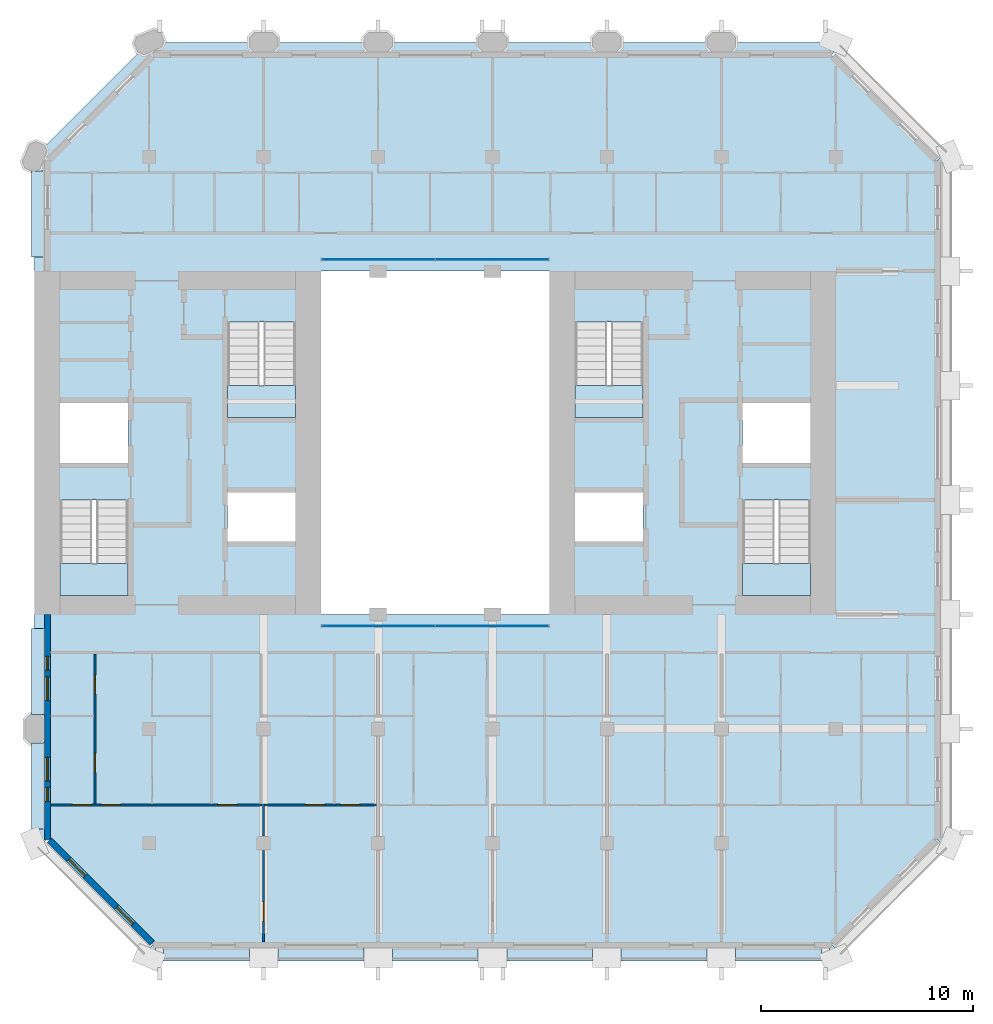
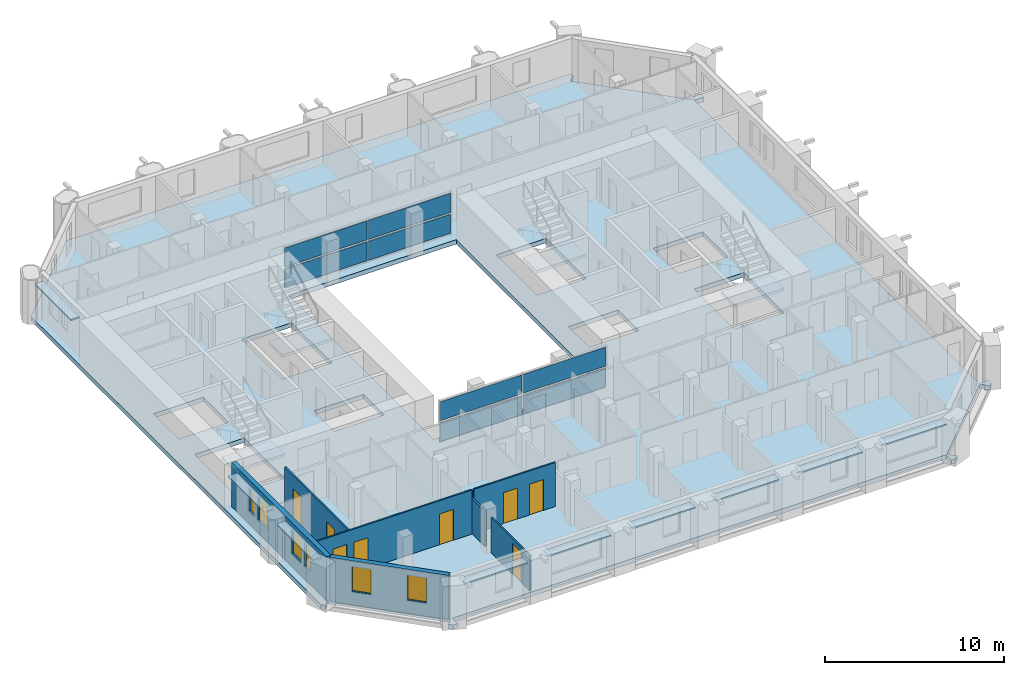
# One storey, part 5 of 14: 17 plates, 8 doors, 7 walls, 6 windows, 5 slabs, 14 openings, 6 elements without a shape of their own.
"""IFC4 building model written with IfcOpenShell, lengths in metres."""

import ifcopenshell
import ifcopenshell.guid

model = None  # the IFC model being written
_history = None  # IfcOwnerHistory: only IFC2X3 demands one
_inside = {}  # id of a spatial element -> (the spatial element, [elements in it])
_under = {}  # id of a project, library or spatial element -> (it, [spatial elements below it])
_declared = {}  # id of a project -> (the project, [libraries it declares])
_typed = {}  # id of a type object -> (the type object, [elements of that type])
_made_of = {}  # id of a material, layer set ... -> (it, [elements and type objects made of it])


def new_model(schema):
    """Start an empty IFC model of exactly this schema.

    Asked for "IFC4X3", IfcOpenShell would pick the latest addendum, in which some entities
    have other attributes; the version numbers below select the first issue.
    IFC2X3 requires an IfcOwnerHistory on every rooted entity: one is made here for all.
    """
    global model, _history
    if schema == "IFC4X3":
        model = ifcopenshell.file(schema_version=(4, 3, 0, 0))
    else:
        model = ifcopenshell.file(schema=schema)
    _inside.clear()
    _under.clear()
    _declared.clear()
    _typed.clear()
    _made_of.clear()
    _history = None
    if model.schema == "IFC2X3":
        org = make("IfcOrganization", Name="unknown")
        user = make(
            "IfcPersonAndOrganization",
            ThePerson=make("IfcPerson", FamilyName="unknown"),
            TheOrganization=org,
        )
        app = make(
            "IfcApplication",
            ApplicationDeveloper=org,
            Version="unknown",
            ApplicationFullName="unknown",
            ApplicationIdentifier="unknown",
        )
        _history = make(
            "IfcOwnerHistory",
            OwningUser=user,
            OwningApplication=app,
            ChangeAction="ADDED",
            CreationDate=0,
        )
    return model


def make(cls, **values):
    """One entity of the class cls with the attributes given. An attribute that is None is left unset."""
    return model.create_entity(
        cls, **{name: value for name, value in values.items() if value is not None}
    )


def rooted(cls, **values):
    """An entity with a GlobalId (a new one), such as an element, a storey or a relation."""
    return make(cls, GlobalId=ifcopenshell.guid.new(), OwnerHistory=_history, **values)


def si_unit(unit_type, name, prefix=None):
    """IfcSIUnit, for example si_unit("LENGTHUNIT", "METRE", prefix="MILLI")."""
    return make("IfcSIUnit", UnitType=unit_type, Prefix=prefix, Name=name)


def assignment(units):
    """IfcUnitAssignment: the units of a project."""
    return None if units is None else make("IfcUnitAssignment", Units=units)


def point(xyz):
    """IfcCartesianPoint."""
    return None if xyz is None else make("IfcCartesianPoint", Coordinates=xyz)


def direction(xyz):
    """IfcDirection."""
    return None if xyz is None else make("IfcDirection", DirectionRatios=xyz)


def frame(location, z_axis=None, x_axis=None):
    """IfcAxis2Placement3D, a coordinate frame: its origin and axes. An axis left out is left unset."""
    return make(
        "IfcAxis2Placement3D",
        Location=point(location),
        Axis=direction(z_axis),
        RefDirection=direction(x_axis),
    )


def frame_2d(location, x_axis=None):
    """IfcAxis2Placement2D, a coordinate frame in the plane: its origin and x axis."""
    return make(
        "IfcAxis2Placement2D", Location=point(location), RefDirection=direction(x_axis)
    )


def origin():
    """The frame at (0, 0, 0) with its axes left unset."""
    return frame((0.0, 0.0, 0.0))


def origin_2d():
    """The frame at (0, 0) in the plane with its x axis left unset."""
    return frame_2d((0.0, 0.0))


def place(relative_to, where):
    """IfcLocalPlacement: puts the frame where relative to a parent placement (None: the world)."""
    return make(
        "IfcLocalPlacement", PlacementRelTo=relative_to, RelativePlacement=where
    )


def context(
    kind, dimensions, precision=None, world=None, true_north=None, identifier=None
):
    """IfcGeometricRepresentationContext, for example the 3D "Model" context."""
    return make(
        "IfcGeometricRepresentationContext",
        ContextIdentifier=identifier,
        ContextType=kind,
        CoordinateSpaceDimension=dimensions,
        Precision=precision,
        WorldCoordinateSystem=world,
        TrueNorth=true_north,
    )


def subcontext(parent, identifier, kind, view, scale=None):
    """IfcGeometricRepresentationSubContext, for example "Body" below "Model"."""
    return make(
        "IfcGeometricRepresentationSubContext",
        ContextIdentifier=identifier,
        ContextType=kind,
        ParentContext=parent,
        TargetScale=scale,
        TargetView=view,
    )


def project(units=None, contexts=None):
    """IfcProject with its units and contexts."""
    return rooted(
        "IfcProject",
        Name="project",
        RepresentationContexts=contexts,
        UnitsInContext=assignment(units),
    )


def spatial(cls, under=None, at=None, **own):
    """A site, building, storey or space (cls), placed at a placement, below another one or the project."""
    s = rooted(cls, ObjectPlacement=at, **own)
    if under is not None:
        _under.setdefault(under.id(), (under, []))[1].append(s)
    return s


def polyline(points):
    """IfcPolyline through the points."""
    return make("IfcPolyline", Points=[point(p) for p in points])


def profile(cls, at=None, kind="AREA", **sizes):
    """A parametric profile (cls). Its sizes go by their IFC names, for example OverallWidth=200.0."""
    return make(cls, ProfileType=kind, Position=at, **sizes)


def rectangle(**sizes):
    """IfcRectangleProfileDef."""
    return profile("IfcRectangleProfileDef", **sizes)


def outline(outer, holes=None, kind="AREA"):
    """IfcArbitraryClosedProfileDef: a profile drawn as a closed curve; with holes, ...WithVoids."""
    if holes is None:
        return make("IfcArbitraryClosedProfileDef", ProfileType=kind, OuterCurve=outer)
    return make(
        "IfcArbitraryProfileDefWithVoids",
        ProfileType=kind,
        OuterCurve=outer,
        InnerCurves=holes,
    )


def extrude(swept, where, along, depth):
    """IfcExtrudedAreaSolid: the profile swept, set in the frame where, extruded along a direction by depth."""
    return make(
        "IfcExtrudedAreaSolid",
        SweptArea=swept,
        Position=where,
        ExtrudedDirection=direction(along),
        Depth=depth,
    )


def shape(context_of_items, identifier, shape_type, items):
    """IfcShapeRepresentation: the items that make up one representation, for example the "Body"."""
    return make(
        "IfcShapeRepresentation",
        ContextOfItems=context_of_items,
        RepresentationIdentifier=identifier,
        RepresentationType=shape_type,
        Items=items,
    )


def material(Name=None, Category=None):
    """IfcMaterial."""
    return make("IfcMaterial", Name=Name, Category=Category)


def layer(
    of_material, thickness, ventilated=None, Name=None, Category=None, Priority=None
):
    """IfcMaterialLayer: one layer of a wall or slab, of a material (None: an air gap)."""
    return make(
        "IfcMaterialLayer",
        Material=of_material,
        LayerThickness=thickness,
        IsVentilated=ventilated,
        Name=Name,
        Category=Category,
        Priority=Priority,
    )


def layer_set(layers, Name=None):
    """IfcMaterialLayerSet."""
    return make("IfcMaterialLayerSet", MaterialLayers=layers, LayerSetName=Name)


def made_of(thing, what):
    """Note that an element or type object is made of a material, layer set ...; save() writes the relation."""
    if what is not None:
        _made_of.setdefault(what.id(), (what, []))[1].append(thing)
    return thing


def type_object(cls, material=None, **own):
    """A type object (cls), such as IfcWallType, which elements share."""
    return made_of(rooted(cls, **own), material)


def element(
    cls,
    number,
    at=None,
    inside=None,
    cuts=None,
    type_object=None,
    material=None,
    context=None,
    identifier="Body",
    shape_type=None,
    held_by="IfcProductDefinitionShape",
    body=None,
    shapes=None,
    **own,
):
    """One element of the class cls, such as IfcWall. Its Tag is "e" and its number.

    at: its placement. inside: the storey or other place that contains it. cuts: it is an
    opening in that element (IfcRelVoidsElement). A single representation is given by context,
    identifier, shape_type and body (its items); several are given by shapes. held_by: the class
    of the entity that holds the representations. save() writes the other relations.
    """
    e = rooted(cls, Tag="e%d" % number, ObjectPlacement=at, **own)
    if body is not None:
        shapes = [shape(context, identifier, shape_type, body)]
    if shapes is not None:
        e.Representation = make(held_by, Representations=shapes)
    if inside is not None:
        _inside.setdefault(inside.id(), (inside, []))[1].append(e)
    if cuts is not None:
        rooted(
            "IfcRelVoidsElement", RelatingBuildingElement=cuts, RelatedOpeningElement=e
        )
    if type_object is not None:
        _typed.setdefault(type_object.id(), (type_object, []))[1].append(e)
    return made_of(e, material)


def fill(opening, filler):
    """IfcRelFillsElement: the door or window that sits in an opening."""
    return rooted(
        "IfcRelFillsElement",
        RelatingOpeningElement=opening,
        RelatedBuildingElement=filler,
    )


def aggregate(whole, parts):
    """IfcRelAggregates: a whole, such as a stair, and the parts it consists of."""
    return rooted("IfcRelAggregates", RelatingObject=whole, RelatedObjects=parts)


def save(model, path):
    """Write the relations noted so far, then the file.

    IfcRelAggregates (storeys below a building ...), IfcRelContainedInSpatialStructure (elements
    in a storey), IfcRelDefinesByType, IfcRelAssociatesMaterial and IfcRelDeclares: one each for
    every whole, place, type object, material and project.
    """
    for whole, parts in _under.values():
        aggregate(whole, parts)
    for where, things in _inside.values():
        rooted(
            "IfcRelContainedInSpatialStructure",
            RelatedElements=things,
            RelatingStructure=where,
        )
    for kind, things in _typed.values():
        rooted("IfcRelDefinesByType", RelatedObjects=things, RelatingType=kind)
    for what, things in _made_of.values():
        rooted("IfcRelAssociatesMaterial", RelatedObjects=things, RelatingMaterial=what)
    for by, libraries in _declared.values():
        rooted("IfcRelDeclares", RelatingContext=by, RelatedDefinitions=libraries)
    model.write(path)


model = new_model("IFC4")

# Units and contexts
model_context = context("Model", 3, precision=1e-05, world=origin(), true_north=direction((0.0, 1.0)))
body_context = subcontext(model_context, "Body", "Model", "MODEL_VIEW")
ifc_project = project(units=[si_unit("LENGTHUNIT", "METRE"), si_unit("AREAUNIT", "SQUARE_METRE"), si_unit("VOLUMEUNIT", "CUBIC_METRE"), si_unit("PLANEANGLEUNIT", "RADIAN"), si_unit("MASSUNIT", "GRAM", prefix="KILO")], contexts=[model_context])

# Site, building, storey
site_placement = place(None, origin())
site = spatial("IfcSite", under=ifc_project, at=site_placement, CompositionType="ELEMENT")
building_placement = place(site_placement, origin())
building = spatial("IfcBuilding", under=site, at=building_placement, Name="Tabaq Tower and Sports Hall", CompositionType="ELEMENT")
storey_placement = place(building_placement, frame((0.0, 0.0, 275.199951171875)))
storey = spatial("IfcBuildingStorey", under=building, at=storey_placement, Name="L67", CompositionType="ELEMENT", Elevation=275.199951171875)

# Curtain wall, plates
ifc_material_1 = material(Name="Aluminium alloy 6063-T6 framed glazing", Category="aluminium")
curtain_wall_type = type_object("IfcCurtainWallType", Name="CW1 curtain wall", PredefinedType="USERDEFINED", material=ifc_material_1)
curtain_wall_1_placement = place(storey_placement, origin())
curtain_wall_1 = element("IfcCurtainWall", 1, at=curtain_wall_1_placement, inside=storey, type_object=curtain_wall_type, Name="Atrium glazing L67 S", ObjectType="ATRIUM ENCLOSURE", PredefinedType="USERDEFINED")
ifc_material_2 = material(Name="Clear low-emissivity glass 28 mm", Category="glass")
ifc_layer_1 = layer(ifc_material_2, 0.028076171875)
ifc_layer_set_1 = layer_set([ifc_layer_1], Name="CW1 glass panel 28")
plate_type_1 = type_object("IfcPlateType", Name="CW1 glass panel 28", PredefinedType="CURTAIN_PANEL", material=ifc_layer_set_1)
plate_1_placement = place(storey_placement, frame((21.614990234375, 15.64990234375, 0.14013671875), z_axis=(0.0, 0.0, 1.0), x_axis=(1.0, 0.0, 0.0)))
plate_1 = element("IfcPlate", 2, at=plate_1_placement, type_object=plate_type_1, Name="CW1 panel 1.1", PredefinedType="CURTAIN_PANEL", context=body_context, shape_type="SweptSolid", body=[
    extrude(rectangle(XDim=5.31005859375, YDim=0.028076171875, at=origin_2d()), origin(), (0.0, 0.0, 1.0), 1.2900390625),
])
plate_2_placement = place(storey_placement, frame((21.614990234375, 15.64990234375, 1.570068359375), z_axis=(0.0, 0.0, 1.0), x_axis=(1.0, 0.0, 0.0)))
plate_2 = element("IfcPlate", 3, at=plate_2_placement, type_object=plate_type_1, Name="CW1 panel 1.2", PredefinedType="CURTAIN_PANEL", context=body_context, shape_type="SweptSolid", body=[
    extrude(rectangle(XDim=5.31005859375, YDim=0.028076171875, at=origin_2d()), origin(), (0.0, 0.0, 1.0), 1.2900390625),
])
plate_3_placement = place(storey_placement, frame((26.985107421875, 15.64990234375, 0.14013671875), z_axis=(0.0, 0.0, 1.0), x_axis=(1.0, 0.0, 0.0)))
plate_3 = element("IfcPlate", 4, at=plate_3_placement, type_object=plate_type_1, Name="CW1 panel 2.1", PredefinedType="CURTAIN_PANEL", context=body_context, shape_type="SweptSolid", body=[
    extrude(rectangle(XDim=5.31005859375, YDim=0.028076171875, at=origin_2d()), origin(), (0.0, 0.0, 1.0), 1.2900390625),
])
plate_4_placement = place(storey_placement, frame((26.985107421875, 15.64990234375, 1.570068359375), z_axis=(0.0, 0.0, 1.0), x_axis=(1.0, 0.0, 0.0)))
plate_4 = element("IfcPlate", 5, at=plate_4_placement, type_object=plate_type_1, Name="CW1 panel 2.2", PredefinedType="CURTAIN_PANEL", context=body_context, shape_type="SweptSolid", body=[
    extrude(rectangle(XDim=5.31005859375, YDim=0.028076171875, at=origin_2d()), origin(), (0.0, 0.0, 1.0), 1.2900390625),
])
aggregate(curtain_wall_1, [plate_1, plate_2, plate_3, plate_4])

curtain_wall_2_placement = place(storey_placement, origin())
curtain_wall_2 = element("IfcCurtainWall", 6, at=curtain_wall_2_placement, inside=storey, type_object=curtain_wall_type, Name="Atrium glazing L67 N", ObjectType="ATRIUM ENCLOSURE", PredefinedType="USERDEFINED")
plate_5_placement = place(storey_placement, frame((21.614990234375, 32.949951171875, 0.14013671875), z_axis=(0.0, 0.0, 1.0), x_axis=(1.0, 0.0, 0.0)))
plate_5 = element("IfcPlate", 7, at=plate_5_placement, type_object=plate_type_1, Name="CW1 panel 1.1", PredefinedType="CURTAIN_PANEL", context=body_context, shape_type="SweptSolid", body=[
    extrude(rectangle(XDim=5.31005859375, YDim=0.028076171875, at=origin_2d()), origin(), (0.0, 0.0, 1.0), 1.2900390625),
])
plate_6_placement = place(storey_placement, frame((21.614990234375, 32.949951171875, 1.570068359375), z_axis=(0.0, 0.0, 1.0), x_axis=(1.0, 0.0, 0.0)))
plate_6 = element("IfcPlate", 8, at=plate_6_placement, type_object=plate_type_1, Name="CW1 panel 1.2", PredefinedType="CURTAIN_PANEL", context=body_context, shape_type="SweptSolid", body=[
    extrude(rectangle(XDim=5.31005859375, YDim=0.028076171875, at=origin_2d()), origin(), (0.0, 0.0, 1.0), 1.2900390625),
])
plate_7_placement = place(storey_placement, frame((26.985107421875, 32.949951171875, 0.14013671875), z_axis=(0.0, 0.0, 1.0), x_axis=(1.0, 0.0, 0.0)))
plate_7 = element("IfcPlate", 9, at=plate_7_placement, type_object=plate_type_1, Name="CW1 panel 2.1", PredefinedType="CURTAIN_PANEL", context=body_context, shape_type="SweptSolid", body=[
    extrude(rectangle(XDim=5.31005859375, YDim=0.028076171875, at=origin_2d()), origin(), (0.0, 0.0, 1.0), 1.2900390625),
])
plate_8_placement = place(storey_placement, frame((26.985107421875, 32.949951171875, 1.570068359375), z_axis=(0.0, 0.0, 1.0), x_axis=(1.0, 0.0, 0.0)))
plate_8 = element("IfcPlate", 10, at=plate_8_placement, type_object=plate_type_1, Name="CW1 panel 2.2", PredefinedType="CURTAIN_PANEL", context=body_context, shape_type="SweptSolid", body=[
    extrude(rectangle(XDim=5.31005859375, YDim=0.028076171875, at=origin_2d()), origin(), (0.0, 0.0, 1.0), 1.2900390625),
])
aggregate(curtain_wall_2, [plate_5, plate_6, plate_7, plate_8])

# Stair, slab
ifc_material_3 = material(Name="Concrete C40/50", Category="concrete")
stair_type = type_object("IfcStairType", Name="Exit stair", PredefinedType="HALF_TURN_STAIR", material=ifc_material_3)
stair_1_placement = place(storey_placement, origin())
stair_1 = element("IfcStair", 11, at=stair_1_placement, inside=storey, type_object=stair_type, Name="L67 Exit stair ST1", PredefinedType="HALF_TURN_STAIR")
ifc_material_4 = material(Name="Concrete C40/50", Category="concrete")
ifc_layer_2 = layer(ifc_material_4, 0.199951171875)
ifc_layer_set_2 = layer_set([ifc_layer_2], Name="Exit stair landing")
slab_type_1 = type_object("IfcSlabType", Name="Exit stair landing", PredefinedType="LANDING", material=ifc_layer_set_2)
slab_1_placement = place(storey_placement, frame((0.0, 0.0, 1.449951171875)))
slab_1 = element("IfcSlab", 12, at=slab_1_placement, type_object=slab_type_1, Name="ST1 landing 1", PredefinedType="LANDING", context=body_context, shape_type="SweptSolid", body=[
    extrude(outline(polyline([(6.60009765625, 18.60009765625), (6.60009765625, 17.10009765625), (9.800048828125, 17.10009765625), (9.800048828125, 18.60009765625), (6.60009765625, 18.60009765625)])), origin(), (0.0, 0.0, 1.0), 0.2001953125),
])
aggregate(stair_1, [slab_1])

stair_2_placement = place(storey_placement, origin())
stair_2 = element("IfcStair", 13, at=stair_2_placement, inside=storey, type_object=stair_type, Name="L67 Exit stair ST2", PredefinedType="HALF_TURN_STAIR")
slab_2_placement = place(storey_placement, frame((0.0, 0.0, 1.449951171875)))
slab_2 = element("IfcSlab", 14, at=slab_2_placement, type_object=slab_type_1, Name="ST2 landing 1", PredefinedType="LANDING", context=body_context, shape_type="SweptSolid", body=[
    extrude(outline(polyline([(14.5, 27.0), (14.5, 25.5), (17.699951171875, 25.5), (17.699951171875, 27.0), (14.5, 27.0)])), origin(), (0.0, 0.0, 1.0), 0.2001953125),
])
aggregate(stair_2, [slab_2])

stair_3_placement = place(storey_placement, origin())
stair_3 = element("IfcStair", 15, at=stair_3_placement, inside=storey, type_object=stair_type, Name="L67 Exit stair ST3", PredefinedType="HALF_TURN_STAIR")
slab_3_placement = place(storey_placement, frame((0.0, 0.0, 1.449951171875)))
slab_3 = element("IfcSlab", 16, at=slab_3_placement, type_object=slab_type_1, Name="ST3 landing 1", PredefinedType="LANDING", context=body_context, shape_type="SweptSolid", body=[
    extrude(outline(polyline([(38.800048828125, 18.60009765625), (38.800048828125, 17.10009765625), (42.0, 17.10009765625), (42.0, 18.60009765625), (38.800048828125, 18.60009765625)])), origin(), (0.0, 0.0, 1.0), 0.2001953125),
])
aggregate(stair_3, [slab_3])

stair_4_placement = place(storey_placement, origin())
stair_4 = element("IfcStair", 17, at=stair_4_placement, inside=storey, type_object=stair_type, Name="L67 Exit stair ST4", PredefinedType="HALF_TURN_STAIR")
slab_4_placement = place(storey_placement, frame((0.0, 0.0, 1.449951171875)))
slab_4 = element("IfcSlab", 18, at=slab_4_placement, type_object=slab_type_1, Name="ST4 landing 1", PredefinedType="LANDING", context=body_context, shape_type="SweptSolid", body=[
    extrude(outline(polyline([(30.89990234375, 27.0), (30.89990234375, 25.5), (34.10009765625, 25.5), (34.10009765625, 27.0), (30.89990234375, 27.0)])), origin(), (0.0, 0.0, 1.0), 0.2001953125),
])
aggregate(stair_4, [slab_4])

# Slab
ifc_material_5 = material(Name="Concrete C40/50", Category="concrete")
ifc_layer_3 = layer(ifc_material_5, 0.300048828125)
ifc_layer_set_3 = layer_set([ifc_layer_3], Name="PT FLOOR SLAB 300 C40/50")
slab_type_2 = type_object("IfcSlabType", Name="PT FLOOR SLAB 300 C40/50", PredefinedType="FLOOR", material=ifc_layer_set_3)
slab_5_placement = place(storey_placement, frame((0.0, 0.0, -0.300048828125)))
element("IfcSlab", 19, at=slab_5_placement, inside=storey, type_object=slab_type_2, Name="Floor Slab L67", PredefinedType="FLOOR", context=body_context, shape_type="SweptSolid", body=[
    extrude(outline(polyline([(5.39990234375, 37.800048828125), (5.39990234375, 5.39990234375), (5.57666015625, 5.22314453125), (5.930419921875, 5.57666015625), (6.0009765625, 5.6474609375), (11.01318359375, 0.63525390625), (10.5888671875, 0.211181640625), (10.800048828125, 0.0), (11.0986328125, 0.0), (11.0986328125, 0.5), (11.0986328125, 0.60009765625), (42.9013671875, 0.60009765625), (42.9013671875, 0.5), (42.9013671875, 0.0), (43.199951171875, 0.0), (43.4111328125, 0.211181640625), (42.98681640625, 0.63525390625), (47.964599609375, 5.61328125), (48.035400390625, 5.54248046875), (48.388916015625, 5.18896484375), (48.60009765625, 5.39990234375), (48.60009765625, 5.698486328125), (48.10009765625, 5.698486328125), (48.0, 5.698486328125), (48.0, 37.50146484375), (48.10009765625, 37.50146484375), (48.60009765625, 37.50146484375), (48.60009765625, 37.800048828125), (48.388916015625, 38.010986328125), (48.035400390625, 37.657470703125), (47.964599609375, 37.5869140625), (42.952392578125, 42.598876953125), (43.023193359375, 42.669677734375), (43.376708984375, 43.023193359375), (43.199951171875, 43.199951171875), (10.800048828125, 43.199951171875), (5.39990234375, 37.800048828125)]), holes=[polyline([(6.60009765625, 21.599365234375), (9.800048828125, 21.599365234375), (9.800048828125, 17.10009765625), (6.60009765625, 17.10009765625), (6.60009765625, 21.599365234375)]), polyline([(38.800048828125, 21.599365234375), (42.0, 21.599365234375), (42.0, 17.10009765625), (38.800048828125, 17.10009765625), (38.800048828125, 21.599365234375)]), polyline([(14.5, 21.949951171875), (17.699951171875, 21.949951171875), (17.699951171875, 19.64990234375), (14.5, 19.64990234375), (14.5, 21.949951171875)]), polyline([(30.89990234375, 21.949951171875), (34.10009765625, 21.949951171875), (34.10009765625, 19.64990234375), (30.89990234375, 19.64990234375), (30.89990234375, 21.949951171875)]), polyline([(18.89990234375, 16.199951171875), (18.89990234375, 32.39990234375), (29.699951171875, 32.39990234375), (29.699951171875, 16.199951171875), (18.89990234375, 16.199951171875)]), polyline([(6.60009765625, 26.175048828125), (9.800048828125, 26.175048828125), (9.800048828125, 23.35009765625), (6.60009765625, 23.35009765625), (6.60009765625, 26.175048828125)]), polyline([(38.800048828125, 26.175048828125), (42.0, 26.175048828125), (42.0, 23.35009765625), (38.800048828125, 23.35009765625), (38.800048828125, 26.175048828125)]), polyline([(17.699951171875, 29.99951171875), (17.699951171875, 25.5), (14.5, 25.5), (14.5, 29.99951171875), (17.699951171875, 29.99951171875)]), polyline([(34.10009765625, 29.99951171875), (34.10009765625, 25.5), (30.89990234375, 25.5), (30.89990234375, 29.99951171875), (34.10009765625, 29.99951171875)])]), origin(), (0.0, 0.0, 1.0), 0.300048828125),
])

# Plates
ifc_material_6 = material(Name="White precast concrete C60/75 blade", Category="concrete")
ifc_layer_4 = layer(ifc_material_6, 0.10009765625)
ifc_layer_set_4 = layer_set([ifc_layer_4], Name="White precast concrete C60/75 sunshade 100")
plate_type_2 = type_object("IfcPlateType", Name="White precast concrete C60/75 sunshade 100", PredefinedType="USERDEFINED", material=ifc_layer_set_4)
for number, where, z_axis, x_axis, name in (
    (20, (13.5, 0.14990234375, 2.60009765625), (0.0, 0.0, 1.0), (1.0, 0.0, 0.0), "Sunshade L67 S"),
    (21, (18.89990234375, 0.14990234375, 2.60009765625), (0.0, 0.0, 1.0), (1.0, 0.0, 0.0), "Sunshade L67 S"),
    (22, (24.300048828125, 0.14990234375, 2.60009765625), (0.0, 0.0, 1.0), (1.0, 0.0, 0.0), "Sunshade L67 S"),
    (23, (29.699951171875, 0.14990234375, 2.60009765625), (0.0, 0.0, 1.0), (1.0, 0.0, 0.0), "Sunshade L67 S"),
    (24, (35.10009765625, 0.14990234375, 2.60009765625), (0.0, 0.0, 1.0), (1.0, 0.0, 0.0), "Sunshade L67 S"),
    (25, (40.5, 0.14990234375, 2.60009765625), (0.0, 0.0, 1.0), (1.0, 0.0, 0.0), "Sunshade L67 S"),
    (26, (5.550048828125, 35.10009765625, 2.60009765625), (0.0, 0.0, 1.0), (0.0, -1.0, 0.0), "Sunshade L67 W"),
    (27, (5.550048828125, 13.5, 2.60009765625), (0.0, 0.0, 1.0), (0.0, -1.0, 0.0), "Sunshade L67 W"),
    (28, (5.550048828125, 8.10009765625, 2.60009765625), (0.0, 0.0, 1.0), (0.0, -1.0, 0.0), "Sunshade L67 W"),
):
    element("IfcPlate", number, at=place(storey_placement, frame(where, z_axis=z_axis, x_axis=x_axis)), inside=storey, type_object=plate_type_2, Name=name, ObjectType="SUNSHADE", PredefinedType="USERDEFINED", context=body_context, shape_type="SweptSolid", body=[
        extrude(rectangle(XDim=4.050048828125, YDim=0.60009765625, at=origin_2d()), origin(), (0.0, 0.0, 1.0), 0.10009765625),
    ])

# Wall, opening, door
ifc_material_7 = material(Name="Gypsum board on steel studs", Category="steel")
ifc_layer_5 = layer(ifc_material_7, 0.10009765625)
ifc_layer_set_5 = layer_set([ifc_layer_5], Name="Partition 100 Gypsum board")
wall_type_1 = type_object("IfcWallType", Name="Partition 100 Gypsum board", PredefinedType="PARTITIONING", material=ifc_layer_set_5)
wall_1_placement = place(storey_placement, frame((16.199951171875, 0.7509765625, 0.0), z_axis=(0.0, 0.0, 1.0), x_axis=(0.0, 1.0, 0.0)))
wall_1 = element("IfcWall", 29, at=wall_1_placement, inside=storey, type_object=wall_type_1, Name="Partition wall L67", PredefinedType="PARTITIONING", context=body_context, shape_type="SweptSolid", body=[
    extrude(rectangle(XDim=4.303955078125, YDim=0.10009765625, at=frame_2d((2.15185546875, 0.0))), origin(), (0.0, 0.0, 1.0), 2.400146484375),
])
opening_1_placement = place(wall_1_placement, frame((0.97412109375, 0.0, 0.0)))
opening_1 = element("IfcOpeningElement", 30, at=opening_1_placement, cuts=wall_1, Name="Opening L67-054", PredefinedType="OPENING", context=body_context, shape_type="SweptSolid", body=[
    extrude(rectangle(XDim=0.89990234375, YDim=2.10009765625, at=frame_2d((0.449951171875, 1.050048828125))), frame((0.0, 0.050048828125, 0.0), z_axis=(0.0, -1.0, 0.0), x_axis=(1.0, 0.0, 0.0)), (0.0, 0.0, 1.0), 0.10009765625),
])
ifc_material_8 = material(Name="Timber leaf in steel frame", Category="steel")
door_type_1 = type_object("IfcDoorType", Name="Internal door 900 right hand", OperationType="SINGLE_SWING_RIGHT", PredefinedType="DOOR", material=ifc_material_8)
door_1_placement = place(opening_1_placement, origin())
door_1 = element("IfcDoor", 31, at=door_1_placement, inside=storey, type_object=door_type_1, Name="Internal door L67-054", OperationType="SINGLE_SWING_RIGHT", OverallHeight=2.10009765625, OverallWidth=0.89990234375, PredefinedType="DOOR", context=body_context, shape_type="SweptSolid", body=[
    extrude(rectangle(XDim=0.89990234375, YDim=2.10009765625, at=frame_2d((0.449951171875, 1.050048828125))), frame((0.0, 0.02490234375, 0.0), z_axis=(0.0, -1.0, 0.0), x_axis=(1.0, 0.0, 0.0)), (0.0, 0.0, 1.0), 0.050048828125),
])
fill(opening_1, door_1)

# Wall
wall_2_placement = place(storey_placement, frame((16.199951171875, 5.7451171875, 0.0), z_axis=(0.0, 0.0, 1.0), x_axis=(0.0, 1.0, 0.0)))
element("IfcWall", 32, at=wall_2_placement, inside=storey, type_object=wall_type_1, Name="Partition wall L67", PredefinedType="PARTITIONING", context=body_context, shape_type="SweptSolid", body=[
    extrude(rectangle(XDim=1.5048828125, YDim=0.10009765625, at=frame_2d((0.75244140625, 0.0))), origin(), (0.0, 0.0, 1.0), 2.400146484375),
])

# Wall, openings, doors
wall_3_placement = place(storey_placement, frame((16.1298828125, 7.199951171875, 0.0), z_axis=(0.0, 0.0, 1.0), x_axis=(-1.0, 0.0, 0.0)))
wall_3 = element("IfcWall", 33, at=wall_3_placement, inside=storey, type_object=wall_type_1, Name="Partition wall L67", PredefinedType="PARTITIONING", context=body_context, shape_type="SweptSolid", body=[
    extrude(rectangle(XDim=9.97900390625, YDim=0.10009765625, at=frame_2d((4.989501953125, 0.0))), origin(), (0.0, 0.0, 1.0), 3.0),
])
opening_2_placement = place(wall_3_placement, frame((1.18994140625, 0.0, 0.0)))
opening_2 = element("IfcOpeningElement", 34, at=opening_2_placement, cuts=wall_3, Name="Opening L67-009", PredefinedType="OPENING", context=body_context, shape_type="SweptSolid", body=[
    extrude(rectangle(XDim=0.89990234375, YDim=2.10009765625, at=frame_2d((0.449951171875, 1.050048828125))), frame((0.0, 0.050048828125, 0.0), z_axis=(0.0, -1.0, 0.0), x_axis=(1.0, 0.0, 0.0)), (0.0, 0.0, 1.0), 0.10009765625),
])
opening_3_placement = place(wall_3_placement, frame((8.06005859375, 0.0, 0.0)))
opening_3 = element("IfcOpeningElement", 35, at=opening_3_placement, cuts=wall_3, Name="Opening L67-036", PredefinedType="OPENING", context=body_context, shape_type="SweptSolid", body=[
    extrude(rectangle(XDim=0.89990234375, YDim=2.10009765625, at=frame_2d((0.449951171875, 1.050048828125))), frame((0.0, 0.050048828125, 0.0), z_axis=(0.0, -1.0, 0.0), x_axis=(1.0, 0.0, 0.0)), (0.0, 0.0, 1.0), 0.10009765625),
])
opening_4_placement = place(wall_3_placement, frame((6.68994140625, 0.0, 0.0)))
opening_4 = element("IfcOpeningElement", 36, at=opening_4_placement, cuts=wall_3, Name="Opening L67-061", PredefinedType="OPENING", context=body_context, shape_type="SweptSolid", body=[
    extrude(rectangle(XDim=0.89990234375, YDim=2.10009765625, at=frame_2d((0.449951171875, 1.050048828125))), frame((0.0, 0.050048828125, 0.0), z_axis=(0.0, -1.0, 0.0), x_axis=(1.0, 0.0, 0.0)), (0.0, 0.0, 1.0), 0.10009765625),
])
ifc_material_9 = material(Name="Timber leaf in steel frame", Category="steel")
door_type_2 = type_object("IfcDoorType", Name="Internal door 900 left hand", OperationType="SINGLE_SWING_LEFT", PredefinedType="DOOR", material=ifc_material_9)
door_2_placement = place(opening_3_placement, origin())
door_2 = element("IfcDoor", 37, at=door_2_placement, inside=storey, type_object=door_type_2, Name="Internal door L67-036", OperationType="SINGLE_SWING_LEFT", OverallHeight=2.10009765625, OverallWidth=0.89990234375, PredefinedType="DOOR", context=body_context, shape_type="SweptSolid", body=[
    extrude(rectangle(XDim=0.89990234375, YDim=2.10009765625, at=frame_2d((0.449951171875, 1.050048828125))), frame((0.0, 0.02490234375, 0.0), z_axis=(0.0, -1.0, 0.0), x_axis=(1.0, 0.0, 0.0)), (0.0, 0.0, 1.0), 0.050048828125),
])
fill(opening_3, door_2)
door_3_placement = place(opening_2_placement, origin())
door_3 = element("IfcDoor", 38, at=door_3_placement, inside=storey, type_object=door_type_1, Name="Internal door L67-009", OperationType="SINGLE_SWING_RIGHT", OverallHeight=2.10009765625, OverallWidth=0.89990234375, PredefinedType="DOOR", context=body_context, shape_type="SweptSolid", body=[
    extrude(rectangle(XDim=0.89990234375, YDim=2.10009765625, at=frame_2d((0.449951171875, 1.050048828125))), frame((0.0, 0.02490234375, 0.0), z_axis=(0.0, -1.0, 0.0), x_axis=(1.0, 0.0, 0.0)), (0.0, 0.0, 1.0), 0.050048828125),
])
fill(opening_2, door_3)
door_4_placement = place(opening_4_placement, origin())
door_4 = element("IfcDoor", 39, at=door_4_placement, inside=storey, type_object=door_type_1, Name="Internal door L67-061", OperationType="SINGLE_SWING_RIGHT", OverallHeight=2.10009765625, OverallWidth=0.89990234375, PredefinedType="DOOR", context=body_context, shape_type="SweptSolid", body=[
    extrude(rectangle(XDim=0.89990234375, YDim=2.10009765625, at=frame_2d((0.449951171875, 1.050048828125))), frame((0.0, 0.02490234375, 0.0), z_axis=(0.0, -1.0, 0.0), x_axis=(1.0, 0.0, 0.0)), (0.0, 0.0, 1.0), 0.050048828125),
])
fill(opening_4, door_4)

wall_4_placement = place(storey_placement, frame((21.52490234375, 7.199951171875, 0.0), z_axis=(0.0, 0.0, 1.0), x_axis=(-1.0, 0.0, 0.0)))
wall_4 = element("IfcWall", 40, at=wall_4_placement, inside=storey, type_object=wall_type_1, Name="Partition wall L67", PredefinedType="PARTITIONING", context=body_context, shape_type="SweptSolid", body=[
    extrude(rectangle(XDim=5.27490234375, YDim=0.10009765625, at=frame_2d((2.637451171875, 0.0))), origin(), (0.0, 0.0, 1.0), 3.0),
])
opening_5_placement = place(wall_4_placement, frame((2.447021484375, 0.0, 0.0)))
opening_5 = element("IfcOpeningElement", 41, at=opening_5_placement, cuts=wall_4, Name="Opening L67-037", PredefinedType="OPENING", context=body_context, shape_type="SweptSolid", body=[
    extrude(rectangle(XDim=0.89990234375, YDim=2.10009765625, at=frame_2d((0.449951171875, 1.050048828125))), frame((0.0, 0.050048828125, 0.0), z_axis=(0.0, -1.0, 0.0), x_axis=(1.0, 0.0, 0.0)), (0.0, 0.0, 1.0), 0.10009765625),
])
opening_6_placement = place(wall_4_placement, frame((0.794921875, 0.0, 0.0)))
opening_6 = element("IfcOpeningElement", 42, at=opening_6_placement, cuts=wall_4, Name="Opening L67-038", PredefinedType="OPENING", context=body_context, shape_type="SweptSolid", body=[
    extrude(rectangle(XDim=0.89990234375, YDim=2.10009765625, at=frame_2d((0.449951171875, 1.050048828125))), frame((0.0, 0.050048828125, 0.0), z_axis=(0.0, -1.0, 0.0), x_axis=(1.0, 0.0, 0.0)), (0.0, 0.0, 1.0), 0.10009765625),
])
door_5_placement = place(opening_5_placement, origin())
door_5 = element("IfcDoor", 43, at=door_5_placement, inside=storey, type_object=door_type_2, Name="Internal door L67-037", OperationType="SINGLE_SWING_LEFT", OverallHeight=2.10009765625, OverallWidth=0.89990234375, PredefinedType="DOOR", context=body_context, shape_type="SweptSolid", body=[
    extrude(rectangle(XDim=0.89990234375, YDim=2.10009765625, at=frame_2d((0.449951171875, 1.050048828125))), frame((0.0, 0.02490234375, 0.0), z_axis=(0.0, -1.0, 0.0), x_axis=(1.0, 0.0, 0.0)), (0.0, 0.0, 1.0), 0.050048828125),
])
fill(opening_5, door_5)
door_6_placement = place(opening_6_placement, origin())
door_6 = element("IfcDoor", 44, at=door_6_placement, inside=storey, type_object=door_type_1, Name="Internal door L67-038", OperationType="SINGLE_SWING_RIGHT", OverallHeight=2.10009765625, OverallWidth=0.89990234375, PredefinedType="DOOR", context=body_context, shape_type="SweptSolid", body=[
    extrude(rectangle(XDim=0.89990234375, YDim=2.10009765625, at=frame_2d((0.449951171875, 1.050048828125))), frame((0.0, 0.02490234375, 0.0), z_axis=(0.0, -1.0, 0.0), x_axis=(1.0, 0.0, 0.0)), (0.0, 0.0, 1.0), 0.050048828125),
])
fill(opening_6, door_6)

wall_5_placement = place(storey_placement, frame((8.239990234375, 7.25, 0.0), z_axis=(0.0, 0.0, 1.0), x_axis=(0.0, 1.0, 0.0)))
wall_5 = element("IfcWall", 45, at=wall_5_placement, inside=storey, type_object=wall_type_1, Name="Partition wall L67", PredefinedType="PARTITIONING", context=body_context, shape_type="SweptSolid", body=[
    extrude(rectangle(XDim=7.074951171875, YDim=0.10009765625, at=frame_2d((3.53759765625, 0.0))), origin(), (0.0, 0.0, 1.0), 3.0),
])
opening_7_placement = place(wall_5_placement, frame((5.199951171875, 0.0, 0.0)))
opening_7 = element("IfcOpeningElement", 46, at=opening_7_placement, cuts=wall_5, Name="Opening L67-010", PredefinedType="OPENING", context=body_context, shape_type="SweptSolid", body=[
    extrude(rectangle(XDim=0.89990234375, YDim=2.10009765625, at=frame_2d((0.449951171875, 1.050048828125))), frame((0.0, 0.050048828125, 0.0), z_axis=(0.0, -1.0, 0.0), x_axis=(1.0, 0.0, 0.0)), (0.0, 0.0, 1.0), 0.10009765625),
])
opening_8_placement = place(wall_5_placement, frame((1.488037109375, 0.0, 0.0)))
opening_8 = element("IfcOpeningElement", 47, at=opening_8_placement, cuts=wall_5, Name="Opening L67-039", PredefinedType="OPENING", context=body_context, shape_type="SweptSolid", body=[
    extrude(rectangle(XDim=0.89990234375, YDim=2.10009765625, at=frame_2d((0.449951171875, 1.050048828125))), frame((0.0, 0.050048828125, 0.0), z_axis=(0.0, -1.0, 0.0), x_axis=(1.0, 0.0, 0.0)), (0.0, 0.0, 1.0), 0.10009765625),
])
door_7_placement = place(opening_8_placement, origin())
door_7 = element("IfcDoor", 48, at=door_7_placement, inside=storey, type_object=door_type_2, Name="Internal door L67-039", OperationType="SINGLE_SWING_LEFT", OverallHeight=2.10009765625, OverallWidth=0.89990234375, PredefinedType="DOOR", context=body_context, shape_type="SweptSolid", body=[
    extrude(rectangle(XDim=0.89990234375, YDim=2.10009765625, at=frame_2d((0.449951171875, 1.050048828125))), frame((0.0, 0.02490234375, 0.0), z_axis=(0.0, -1.0, 0.0), x_axis=(1.0, 0.0, 0.0)), (0.0, 0.0, 1.0), 0.050048828125),
])
fill(opening_8, door_7)
door_8_placement = place(opening_7_placement, origin())
door_8 = element("IfcDoor", 49, at=door_8_placement, inside=storey, type_object=door_type_1, Name="Internal door L67-010", OperationType="SINGLE_SWING_RIGHT", OverallHeight=2.10009765625, OverallWidth=0.89990234375, PredefinedType="DOOR", context=body_context, shape_type="SweptSolid", body=[
    extrude(rectangle(XDim=0.89990234375, YDim=2.10009765625, at=frame_2d((0.449951171875, 1.050048828125))), frame((0.0, 0.02490234375, 0.0), z_axis=(0.0, -1.0, 0.0), x_axis=(1.0, 0.0, 0.0)), (0.0, 0.0, 1.0), 0.050048828125),
])
fill(opening_7, door_8)

# Wall, openings, windows
ifc_material_10 = material(Name="White precast concrete C60/75", Category="concrete")
ifc_layer_6 = layer(ifc_material_10, 0.300048828125)
ifc_layer_set_6 = layer_set([ifc_layer_6], Name="White precast concrete C60/75 external wall 300")
wall_type_2 = type_object("IfcWallType", Name="White precast concrete C60/75 external wall 300", PredefinedType="SOLIDWALL", material=ifc_layer_set_6)
wall_6_placement = place(storey_placement, frame((6.0, 16.199951171875, 0.0), z_axis=(0.0, 0.0, 1.0), x_axis=(0.0, -1.0, 0.0)))
wall_6 = element("IfcWall", 50, at=wall_6_placement, inside=storey, type_object=wall_type_2, Name="External Wall L67 W", PredefinedType="SOLIDWALL", context=body_context, shape_type="SweptSolid", body=[
    extrude(rectangle(XDim=10.613525390625, YDim=0.300048828125, at=frame_2d((5.306640625, 0.0))), origin(), (0.0, 0.0, 1.0), 3.0),
])
opening_9_placement = place(wall_6_placement, frame((1.97509765625, 0.0, 0.89990234375)))
opening_9 = element("IfcOpeningElement", 51, at=opening_9_placement, cuts=wall_6, Name="Opening W1C", PredefinedType="OPENING", context=body_context, shape_type="SweptSolid", body=[
    extrude(rectangle(XDim=0.64990234375, YDim=1.699951171875, at=frame_2d((0.324951171875, 0.85009765625))), frame((0.0, 0.16015625, 0.0), z_axis=(0.0, -1.0, 0.0), x_axis=(1.0, 0.0, 0.0)), (0.0, 0.0, 1.0), 0.320068359375),
])
opening_10_placement = place(wall_6_placement, frame((2.949951171875, 0.0, 0.89990234375)))
opening_10 = element("IfcOpeningElement", 52, at=opening_10_placement, cuts=wall_6, Name="Opening W1B", PredefinedType="OPENING", context=body_context, shape_type="SweptSolid", body=[
    extrude(rectangle(XDim=1.10009765625, YDim=1.699951171875, at=frame_2d((0.550048828125, 0.85009765625))), frame((0.0, 0.16015625, 0.0), z_axis=(0.0, -1.0, 0.0), x_axis=(1.0, 0.0, 0.0)), (0.0, 0.0, 1.0), 0.320068359375),
])
opening_11_placement = place(wall_6_placement, frame((6.75, 0.0, 0.89990234375)))
opening_11 = element("IfcOpeningElement", 53, at=opening_11_placement, cuts=wall_6, Name="Opening W1B", PredefinedType="OPENING", context=body_context, shape_type="SweptSolid", body=[
    extrude(rectangle(XDim=1.10009765625, YDim=1.699951171875, at=frame_2d((0.550048828125, 0.85009765625))), frame((0.0, 0.16015625, 0.0), z_axis=(0.0, -1.0, 0.0), x_axis=(1.0, 0.0, 0.0)), (0.0, 0.0, 1.0), 0.320068359375),
])
opening_12_placement = place(wall_6_placement, frame((8.175048828125, 0.0, 0.89990234375)))
opening_12 = element("IfcOpeningElement", 54, at=opening_12_placement, cuts=wall_6, Name="Opening W1C", PredefinedType="OPENING", context=body_context, shape_type="SweptSolid", body=[
    extrude(rectangle(XDim=0.64990234375, YDim=1.699951171875, at=frame_2d((0.324951171875, 0.85009765625))), frame((0.0, 0.16015625, 0.0), z_axis=(0.0, -1.0, 0.0), x_axis=(1.0, 0.0, 0.0)), (0.0, 0.0, 1.0), 0.320068359375),
])
ifc_material_11 = material(Name="Aluminium framed clear glazing", Category="aluminium")
window_type_1 = type_object("IfcWindowType", Name="Window W1B", PartitioningType="SINGLE_PANEL", PredefinedType="WINDOW", material=ifc_material_11)
window_1_placement = place(opening_10_placement, origin())
window_1 = element("IfcWindow", 55, at=window_1_placement, inside=storey, type_object=window_type_1, Name="Window W1B L67", OverallHeight=1.699951171875, OverallWidth=1.10009765625, PartitioningType="SINGLE_PANEL", PredefinedType="WINDOW", context=body_context, shape_type="SweptSolid", body=[
    extrude(rectangle(XDim=1.10009765625, YDim=1.699951171875, at=frame_2d((0.550048828125, 0.85009765625))), frame((0.0, 0.030029296875, 0.0), z_axis=(0.0, -1.0, 0.0), x_axis=(1.0, 0.0, 0.0)), (0.0, 0.0, 1.0), 0.06005859375),
])
fill(opening_10, window_1)
window_2_placement = place(opening_11_placement, origin())
window_2 = element("IfcWindow", 56, at=window_2_placement, inside=storey, type_object=window_type_1, Name="Window W1B L67", OverallHeight=1.699951171875, OverallWidth=1.10009765625, PartitioningType="SINGLE_PANEL", PredefinedType="WINDOW", context=body_context, shape_type="SweptSolid", body=[
    extrude(rectangle(XDim=1.10009765625, YDim=1.699951171875, at=frame_2d((0.550048828125, 0.85009765625))), frame((0.0, 0.030029296875, 0.0), z_axis=(0.0, -1.0, 0.0), x_axis=(1.0, 0.0, 0.0)), (0.0, 0.0, 1.0), 0.06005859375),
])
fill(opening_11, window_2)
ifc_material_12 = material(Name="Aluminium framed clear glazing", Category="aluminium")
window_type_2 = type_object("IfcWindowType", Name="Window W1C", PartitioningType="SINGLE_PANEL", PredefinedType="WINDOW", material=ifc_material_12)
window_3_placement = place(opening_9_placement, origin())
window_3 = element("IfcWindow", 57, at=window_3_placement, inside=storey, type_object=window_type_2, Name="Window W1C L67", OverallHeight=1.699951171875, OverallWidth=0.64990234375, PartitioningType="SINGLE_PANEL", PredefinedType="WINDOW", context=body_context, shape_type="SweptSolid", body=[
    extrude(rectangle(XDim=0.64990234375, YDim=1.699951171875, at=frame_2d((0.324951171875, 0.85009765625))), frame((0.0, 0.030029296875, 0.0), z_axis=(0.0, -1.0, 0.0), x_axis=(1.0, 0.0, 0.0)), (0.0, 0.0, 1.0), 0.06005859375),
])
fill(opening_9, window_3)
window_4_placement = place(opening_12_placement, origin())
window_4 = element("IfcWindow", 58, at=window_4_placement, inside=storey, type_object=window_type_2, Name="Window W1C L67", OverallHeight=1.699951171875, OverallWidth=0.64990234375, PartitioningType="SINGLE_PANEL", PredefinedType="WINDOW", context=body_context, shape_type="SweptSolid", body=[
    extrude(rectangle(XDim=0.64990234375, YDim=1.699951171875, at=frame_2d((0.324951171875, 0.85009765625))), frame((0.0, 0.030029296875, 0.0), z_axis=(0.0, -1.0, 0.0), x_axis=(1.0, 0.0, 0.0)), (0.0, 0.0, 1.0), 0.06005859375),
])
fill(opening_12, window_4)

wall_7_placement = place(storey_placement, frame((6.098876953125, 5.549560546875, 0.0), z_axis=(0.0, 0.0, 1.0), x_axis=(0.707106781187, -0.707106781187, 0.0)))
wall_7 = element("IfcWall", 59, at=wall_7_placement, inside=storey, type_object=wall_type_2, Name="External Wall L67 SW", PredefinedType="SOLIDWALL", context=body_context, shape_type="SweptSolid", body=[
    extrude(rectangle(XDim=6.85986328125, YDim=0.300048828125, at=frame_2d((3.429931640625, 0.0))), origin(), (0.0, 0.0, 1.0), 3.0),
])
opening_13_placement = place(wall_7_placement, frame((1.27978515625, 0.0, 0.89990234375)))
opening_13 = element("IfcOpeningElement", 60, at=opening_13_placement, cuts=wall_7, Name="Opening W1B", PredefinedType="OPENING", context=body_context, shape_type="SweptSolid", body=[
    extrude(rectangle(XDim=1.10009765625, YDim=1.699951171875, at=frame_2d((0.550048828125, 0.85009765625))), frame((0.0, 0.16015625, 0.0), z_axis=(0.0, -1.0, 0.0), x_axis=(1.0, 0.0, 0.0)), (0.0, 0.0, 1.0), 0.320068359375),
])
opening_14_placement = place(wall_7_placement, frame((4.479736328125, 0.0, 0.89990234375)))
opening_14 = element("IfcOpeningElement", 61, at=opening_14_placement, cuts=wall_7, Name="Opening W1B", PredefinedType="OPENING", context=body_context, shape_type="SweptSolid", body=[
    extrude(rectangle(XDim=1.10009765625, YDim=1.699951171875, at=frame_2d((0.550048828125, 0.85009765625))), frame((0.0, 0.16015625, 0.0), z_axis=(0.0, -1.0, 0.0), x_axis=(1.0, 0.0, 0.0)), (0.0, 0.0, 1.0), 0.320068359375),
])
window_5_placement = place(opening_13_placement, origin())
window_5 = element("IfcWindow", 62, at=window_5_placement, inside=storey, type_object=window_type_1, Name="Window W1B L67", OverallHeight=1.699951171875, OverallWidth=1.10009765625, PartitioningType="SINGLE_PANEL", PredefinedType="WINDOW", context=body_context, shape_type="SweptSolid", body=[
    extrude(rectangle(XDim=1.10009765625, YDim=1.699951171875, at=frame_2d((0.550048828125, 0.85009765625))), frame((0.0, 0.030029296875, 0.0), z_axis=(0.0, -1.0, 0.0), x_axis=(1.0, 0.0, 0.0)), (0.0, 0.0, 1.0), 0.06005859375),
])
fill(opening_13, window_5)
window_6_placement = place(opening_14_placement, origin())
window_6 = element("IfcWindow", 63, at=window_6_placement, inside=storey, type_object=window_type_1, Name="Window W1B L67", OverallHeight=1.699951171875, OverallWidth=1.10009765625, PartitioningType="SINGLE_PANEL", PredefinedType="WINDOW", context=body_context, shape_type="SweptSolid", body=[
    extrude(rectangle(XDim=1.10009765625, YDim=1.699951171875, at=frame_2d((0.550048828125, 0.85009765625))), frame((0.0, 0.030029296875, 0.0), z_axis=(0.0, -1.0, 0.0), x_axis=(1.0, 0.0, 0.0)), (0.0, 0.0, 1.0), 0.06005859375),
])
fill(opening_14, window_6)

save(model, "model.ifc")
